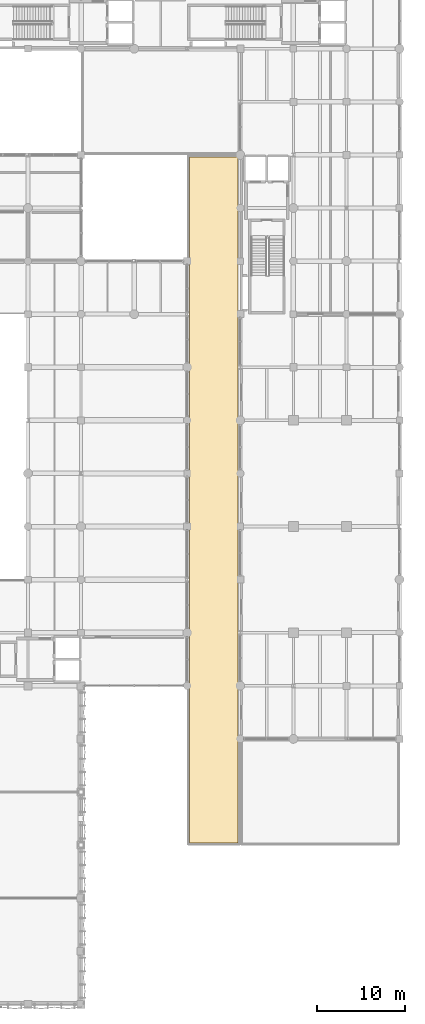
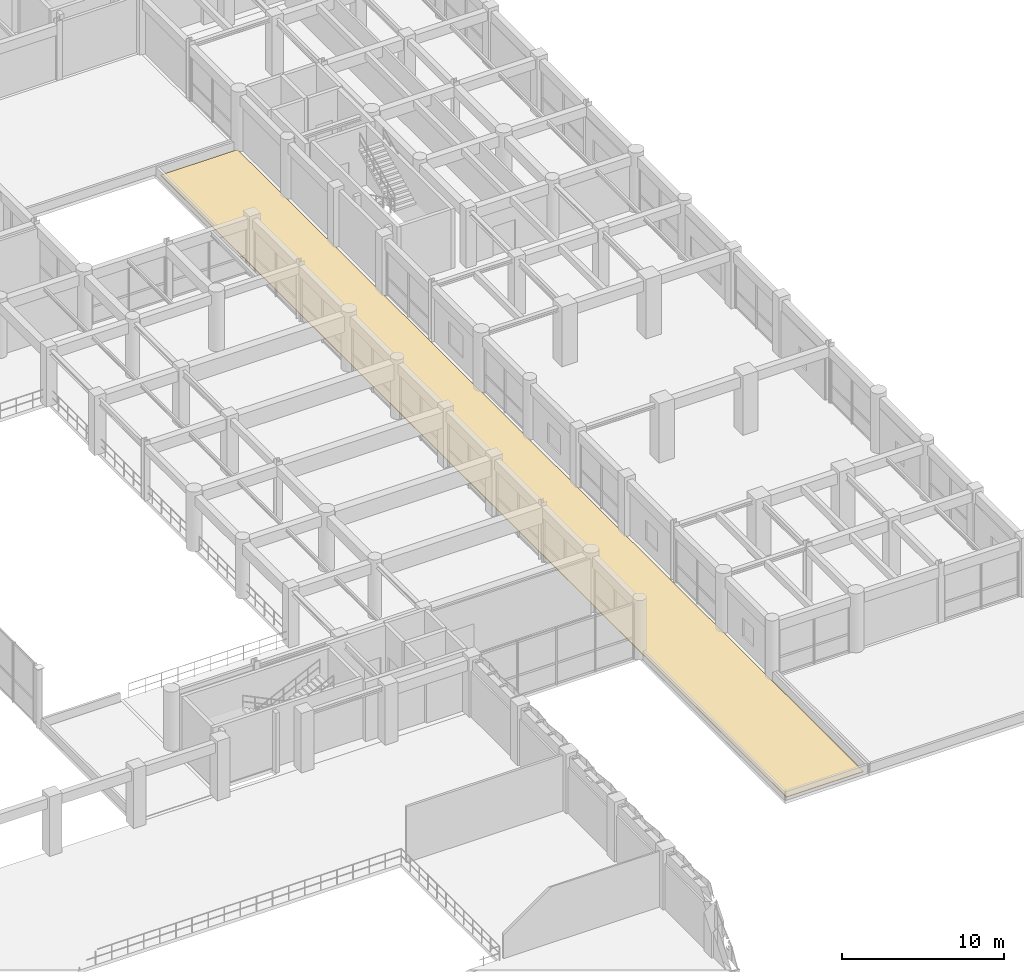
# One storey, part 132 of 133: 1 covering.
"""IFC4 building model written with IfcOpenShell, lengths in metres."""

import ifcopenshell
import ifcopenshell.guid

model = None  # the IFC model being written
_history = None  # IfcOwnerHistory: only IFC2X3 demands one
_inside = {}  # id of a spatial element -> (the spatial element, [elements in it])
_under = {}  # id of a project, library or spatial element -> (it, [spatial elements below it])
_declared = {}  # id of a project -> (the project, [libraries it declares])
_typed = {}  # id of a type object -> (the type object, [elements of that type])
_made_of = {}  # id of a material, layer set ... -> (it, [elements and type objects made of it])


def new_model(schema):
    """Start an empty IFC model of exactly this schema.

    Asked for "IFC4X3", IfcOpenShell would pick the latest addendum, in which some entities
    have other attributes; the version numbers below select the first issue.
    IFC2X3 requires an IfcOwnerHistory on every rooted entity: one is made here for all.
    """
    global model, _history
    if schema == "IFC4X3":
        model = ifcopenshell.file(schema_version=(4, 3, 0, 0))
    else:
        model = ifcopenshell.file(schema=schema)
    _inside.clear()
    _under.clear()
    _declared.clear()
    _typed.clear()
    _made_of.clear()
    _history = None
    if model.schema == "IFC2X3":
        org = make("IfcOrganization", Name="unknown")
        user = make(
            "IfcPersonAndOrganization",
            ThePerson=make("IfcPerson", FamilyName="unknown"),
            TheOrganization=org,
        )
        app = make(
            "IfcApplication",
            ApplicationDeveloper=org,
            Version="unknown",
            ApplicationFullName="unknown",
            ApplicationIdentifier="unknown",
        )
        _history = make(
            "IfcOwnerHistory",
            OwningUser=user,
            OwningApplication=app,
            ChangeAction="ADDED",
            CreationDate=0,
        )
    return model


def make(cls, **values):
    """One entity of the class cls with the attributes given. An attribute that is None is left unset."""
    return model.create_entity(
        cls, **{name: value for name, value in values.items() if value is not None}
    )


def rooted(cls, **values):
    """An entity with a GlobalId (a new one), such as an element, a storey or a relation."""
    return make(cls, GlobalId=ifcopenshell.guid.new(), OwnerHistory=_history, **values)


def si_unit(unit_type, name, prefix=None):
    """IfcSIUnit, for example si_unit("LENGTHUNIT", "METRE", prefix="MILLI")."""
    return make("IfcSIUnit", UnitType=unit_type, Prefix=prefix, Name=name)


def assignment(units):
    """IfcUnitAssignment: the units of a project."""
    return None if units is None else make("IfcUnitAssignment", Units=units)


def point(xyz):
    """IfcCartesianPoint."""
    return None if xyz is None else make("IfcCartesianPoint", Coordinates=xyz)


def direction(xyz):
    """IfcDirection."""
    return None if xyz is None else make("IfcDirection", DirectionRatios=xyz)


def frame(location, z_axis=None, x_axis=None):
    """IfcAxis2Placement3D, a coordinate frame: its origin and axes. An axis left out is left unset."""
    return make(
        "IfcAxis2Placement3D",
        Location=point(location),
        Axis=direction(z_axis),
        RefDirection=direction(x_axis),
    )


def origin():
    """The frame at (0, 0, 0) with its axes left unset."""
    return frame((0.0, 0.0, 0.0))


def place(relative_to, where):
    """IfcLocalPlacement: puts the frame where relative to a parent placement (None: the world)."""
    return make(
        "IfcLocalPlacement", PlacementRelTo=relative_to, RelativePlacement=where
    )


def context(
    kind, dimensions, precision=None, world=None, true_north=None, identifier=None
):
    """IfcGeometricRepresentationContext, for example the 3D "Model" context."""
    return make(
        "IfcGeometricRepresentationContext",
        ContextIdentifier=identifier,
        ContextType=kind,
        CoordinateSpaceDimension=dimensions,
        Precision=precision,
        WorldCoordinateSystem=world,
        TrueNorth=true_north,
    )


def subcontext(parent, identifier, kind, view, scale=None):
    """IfcGeometricRepresentationSubContext, for example "Body" below "Model"."""
    return make(
        "IfcGeometricRepresentationSubContext",
        ContextIdentifier=identifier,
        ContextType=kind,
        ParentContext=parent,
        TargetScale=scale,
        TargetView=view,
    )


def project(units=None, contexts=None):
    """IfcProject with its units and contexts."""
    return rooted(
        "IfcProject",
        Name="project",
        RepresentationContexts=contexts,
        UnitsInContext=assignment(units),
    )


def spatial(cls, under=None, at=None, **own):
    """A site, building, storey or space (cls), placed at a placement, below another one or the project."""
    s = rooted(cls, ObjectPlacement=at, **own)
    if under is not None:
        _under.setdefault(under.id(), (under, []))[1].append(s)
    return s


def polyline(points):
    """IfcPolyline through the points."""
    return make("IfcPolyline", Points=[point(p) for p in points])


def outline(outer, holes=None, kind="AREA"):
    """IfcArbitraryClosedProfileDef: a profile drawn as a closed curve; with holes, ...WithVoids."""
    if holes is None:
        return make("IfcArbitraryClosedProfileDef", ProfileType=kind, OuterCurve=outer)
    return make(
        "IfcArbitraryProfileDefWithVoids",
        ProfileType=kind,
        OuterCurve=outer,
        InnerCurves=holes,
    )


def extrude(swept, where, along, depth):
    """IfcExtrudedAreaSolid: the profile swept, set in the frame where, extruded along a direction by depth."""
    return make(
        "IfcExtrudedAreaSolid",
        SweptArea=swept,
        Position=where,
        ExtrudedDirection=direction(along),
        Depth=depth,
    )


def shape(context_of_items, identifier, shape_type, items):
    """IfcShapeRepresentation: the items that make up one representation, for example the "Body"."""
    return make(
        "IfcShapeRepresentation",
        ContextOfItems=context_of_items,
        RepresentationIdentifier=identifier,
        RepresentationType=shape_type,
        Items=items,
    )


def material(Name=None, Category=None):
    """IfcMaterial."""
    return make("IfcMaterial", Name=Name, Category=Category)


def layer(
    of_material, thickness, ventilated=None, Name=None, Category=None, Priority=None
):
    """IfcMaterialLayer: one layer of a wall or slab, of a material (None: an air gap)."""
    return make(
        "IfcMaterialLayer",
        Material=of_material,
        LayerThickness=thickness,
        IsVentilated=ventilated,
        Name=Name,
        Category=Category,
        Priority=Priority,
    )


def layer_set(layers, Name=None):
    """IfcMaterialLayerSet."""
    return make("IfcMaterialLayerSet", MaterialLayers=layers, LayerSetName=Name)


def made_of(thing, what):
    """Note that an element or type object is made of a material, layer set ...; save() writes the relation."""
    if what is not None:
        _made_of.setdefault(what.id(), (what, []))[1].append(thing)
    return thing


def type_object(cls, material=None, **own):
    """A type object (cls), such as IfcWallType, which elements share."""
    return made_of(rooted(cls, **own), material)


def element(
    cls,
    number,
    at=None,
    inside=None,
    cuts=None,
    type_object=None,
    material=None,
    context=None,
    identifier="Body",
    shape_type=None,
    held_by="IfcProductDefinitionShape",
    body=None,
    shapes=None,
    **own,
):
    """One element of the class cls, such as IfcWall. Its Tag is "e" and its number.

    at: its placement. inside: the storey or other place that contains it. cuts: it is an
    opening in that element (IfcRelVoidsElement). A single representation is given by context,
    identifier, shape_type and body (its items); several are given by shapes. held_by: the class
    of the entity that holds the representations. save() writes the other relations.
    """
    e = rooted(cls, Tag="e%d" % number, ObjectPlacement=at, **own)
    if body is not None:
        shapes = [shape(context, identifier, shape_type, body)]
    if shapes is not None:
        e.Representation = make(held_by, Representations=shapes)
    if inside is not None:
        _inside.setdefault(inside.id(), (inside, []))[1].append(e)
    if cuts is not None:
        rooted(
            "IfcRelVoidsElement", RelatingBuildingElement=cuts, RelatedOpeningElement=e
        )
    if type_object is not None:
        _typed.setdefault(type_object.id(), (type_object, []))[1].append(e)
    return made_of(e, material)


def aggregate(whole, parts):
    """IfcRelAggregates: a whole, such as a stair, and the parts it consists of."""
    return rooted("IfcRelAggregates", RelatingObject=whole, RelatedObjects=parts)


def save(model, path):
    """Write the relations noted so far, then the file.

    IfcRelAggregates (storeys below a building ...), IfcRelContainedInSpatialStructure (elements
    in a storey), IfcRelDefinesByType, IfcRelAssociatesMaterial and IfcRelDeclares: one each for
    every whole, place, type object, material and project.
    """
    for whole, parts in _under.values():
        aggregate(whole, parts)
    for where, things in _inside.values():
        rooted(
            "IfcRelContainedInSpatialStructure",
            RelatedElements=things,
            RelatingStructure=where,
        )
    for kind, things in _typed.values():
        rooted("IfcRelDefinesByType", RelatedObjects=things, RelatingType=kind)
    for what, things in _made_of.values():
        rooted("IfcRelAssociatesMaterial", RelatedObjects=things, RelatingMaterial=what)
    for by, libraries in _declared.values():
        rooted("IfcRelDeclares", RelatingContext=by, RelatedDefinitions=libraries)
    model.write(path)


model = new_model("IFC4")

# Units and contexts
model_context = context("Model", 3, precision=1e-05, world=origin(), true_north=direction((0.0, 1.0)))
body_context = subcontext(model_context, "Body", "Model", "MODEL_VIEW")
ifc_project = project(units=[si_unit("LENGTHUNIT", "METRE"), si_unit("AREAUNIT", "SQUARE_METRE"), si_unit("VOLUMEUNIT", "CUBIC_METRE"), si_unit("PLANEANGLEUNIT", "RADIAN"), si_unit("MASSUNIT", "GRAM", prefix="KILO"), si_unit("THERMODYNAMICTEMPERATUREUNIT", "KELVIN"), si_unit("POWERUNIT", "WATT")], contexts=[model_context])

# Site, building, storey
site_placement = place(None, origin())
site = spatial("IfcSite", under=ifc_project, at=site_placement, CompositionType="ELEMENT")
building_placement = place(site_placement, origin())
building = spatial("IfcBuilding", under=site, at=building_placement, Name="Phaisarnlok Congress Hotel", CompositionType="ELEMENT")
storey_placement = place(building_placement, frame((0.0, 0.0, 6.0)))
storey = spatial("IfcBuildingStorey", under=building, at=storey_placement, Name="L01", CompositionType="ELEMENT", Elevation=6.0)

# Covering
ifc_material = material(Name="TPO Waterproofing Membrane & Rigid PIR Insulation", Category="other")
ifc_layer = layer(ifc_material, 0.050048828125, Name="TPO Waterproofing Membrane & Rigid PIR Insulation")
ifc_layer_set = layer_set([ifc_layer], Name="TPO Waterproofing Membrane & Rigid PIR Insulation")
covering_type = type_object("IfcCoveringType", Name="COV-ROOF-MEMB", PredefinedType="ROOFING", material=ifc_layer_set)
covering_placement = place(storey_placement, origin())
element("IfcCovering", 1, at=covering_placement, inside=storey, type_object=covering_type, Name="Podium roof waterproofing membrane RF-01 (L01 pod_boh_e)", PredefinedType="ROOFING", context=body_context, shape_type="SweptSolid", body=[
    extrude(outline(polyline([(156.25, 18.25), (161.75, 18.25), (161.75, 95.75), (156.25, 95.75), (156.25, 18.25)])), origin(), (0.0, 0.0, 1.0), 0.050048828125),
])

save(model, "model.ifc")
